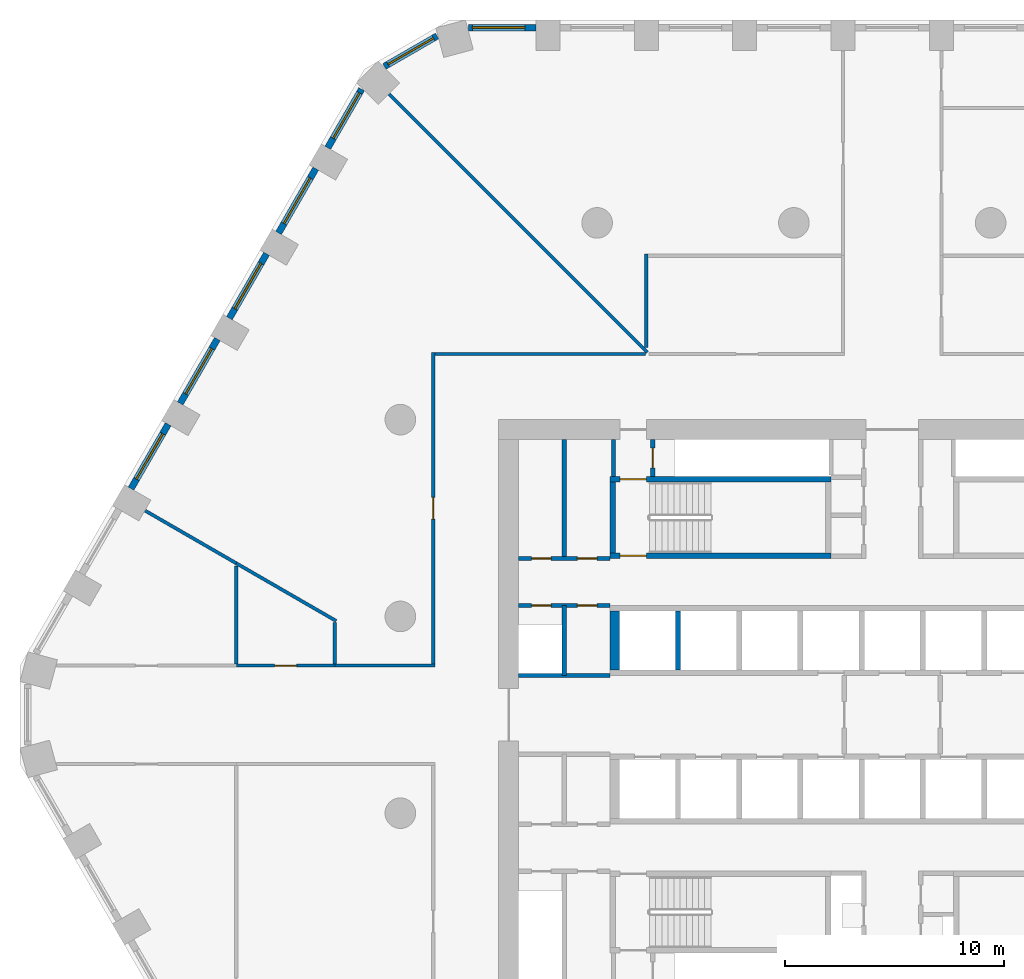
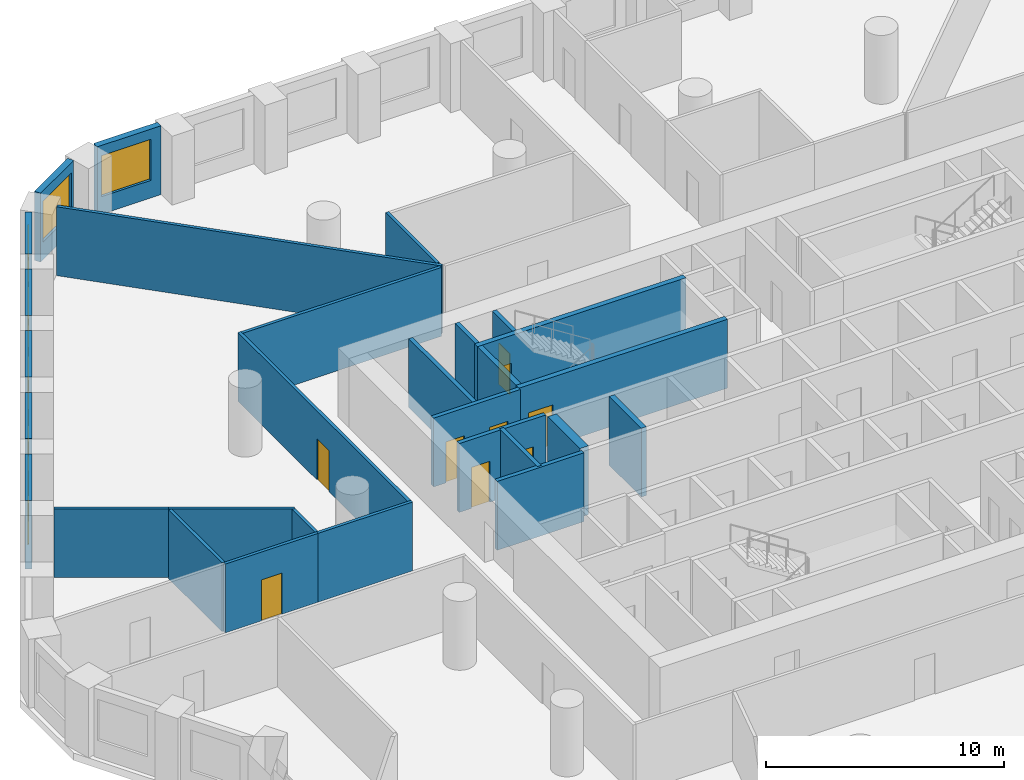
# One storey, part 5 of 10: 29 walls, 9 doors, 7 windows, 16 openings.
"""IFC4 building model written with IfcOpenShell, lengths in metres."""

from ifc_helpers import new_model, si_unit, direction, frame, frame_2d, origin, place, context, subcontext, project, spatial, polyline, rectangle, outline, extrude, material, layer, layer_set, type_object, element, fill, save


model = new_model("IFC4")

# Units and contexts
model_context = context("Model", 3, precision=1e-05, world=origin(), true_north=direction((0.0, 1.0)))
body_context = subcontext(model_context, "Body", "Model", "MODEL_VIEW")
ifc_project = project(units=[si_unit("LENGTHUNIT", "METRE"), si_unit("AREAUNIT", "SQUARE_METRE"), si_unit("VOLUMEUNIT", "CUBIC_METRE"), si_unit("PLANEANGLEUNIT", "RADIAN"), si_unit("MASSUNIT", "GRAM", prefix="KILO")], contexts=[model_context])

# Site, building, storey
site_placement = place(None, origin())
site = spatial("IfcSite", under=ifc_project, at=site_placement, CompositionType="ELEMENT")
building_placement = place(site_placement, origin())
building = spatial("IfcBuilding", under=site, at=building_placement, Name="Dhurran Vertical Campus", CompositionType="ELEMENT")
storey_placement = place(building_placement, frame((0.0, 0.0, 57.300048828125)))
storey = spatial("IfcBuildingStorey", under=building, at=storey_placement, Name="L13", CompositionType="ELEMENT", Elevation=57.300048828125)

# Wall, opening, window
ifc_material_1 = material(Name="Precast concrete C50/60", Category="concrete")
ifc_layer_1 = layer(ifc_material_1, 0.300048828125)
ifc_layer_set_1 = layer_set([ifc_layer_1], Name="Precast concrete C50/60")
wall_type_1 = type_object("IfcWallType", Name="Precast spandrel wall 300", PredefinedType="SOLIDWALL", material=ifc_layer_set_1)
wall_1_placement = place(storey_placement, frame((-16.300537109375, 31.4296875, 0.0), z_axis=(0.0, 0.0, 1.0), x_axis=(-1.0, 0.0, 0.0)))
wall_1 = element("IfcWall", 1, at=wall_1_placement, inside=storey, type_object=wall_type_1, Name="EW1 L13.34", PredefinedType="SOLIDWALL", context=body_context, shape_type="SweptSolid", body=[
    extrude(rectangle(XDim=3.090576171875, YDim=0.300048828125, at=frame_2d((1.54541015625, 0.0))), origin(), (0.0, 0.0, 1.0), 3.52490234375),
])
opening_1_placement = place(wall_1_placement, frame((0.49951171875, 0.0, 0.89990234375)))
opening_1 = element("IfcOpeningElement", 2, at=opening_1_placement, cuts=wall_1, Name="Opening WT1", PredefinedType="OPENING", context=body_context, shape_type="SweptSolid", body=[
    extrude(rectangle(XDim=2.39990234375, YDim=2.10009765625, at=frame_2d((1.199951171875, 1.050048828125))), frame((0.0, 0.159912109375, 0.0), z_axis=(0.0, -1.0, 0.0), x_axis=(1.0, 0.0, 0.0)), (0.0, 0.0, 1.0), 0.320068359375),
])
ifc_material_2 = material(Name="Aluminium frame with solar-control glass", Category="aluminium")
window_type = type_object("IfcWindowType", Name="Punched window 2400 x 2100", PartitioningType="SINGLE_PANEL", PredefinedType="WINDOW", material=ifc_material_2)
window_1_placement = place(opening_1_placement, origin())
window_1 = element("IfcWindow", 3, at=window_1_placement, inside=storey, type_object=window_type, Name="WT1 L13.34", OverallHeight=2.10009765625, OverallWidth=2.39990234375, PartitioningType="SINGLE_PANEL", PredefinedType="WINDOW", context=body_context, shape_type="SweptSolid", body=[
    extrude(rectangle(XDim=2.39990234375, YDim=2.10009765625, at=frame_2d((1.199951171875, 1.050048828125))), frame((0.0, 0.030029296875, 0.0), z_axis=(0.0, -1.0, 0.0), x_axis=(1.0, 0.0, 0.0)), (0.0, 0.0, 1.0), 0.06005859375),
])
fill(opening_1, window_1)

wall_2_placement = place(storey_placement, frame((-20.81884765625, 31.047119140625, 0.0), z_axis=(0.0, 0.0, 1.0), x_axis=(-0.866020456713, -0.500008568482, 0.0)))
wall_2 = element("IfcWall", 4, at=wall_2_placement, inside=storey, type_object=wall_type_1, Name="EW1 L13.35", PredefinedType="SOLIDWALL", context=body_context, shape_type="SweptSolid", body=[
    extrude(rectangle(XDim=2.7822265625, YDim=0.300048828125, at=frame_2d((1.39111328125, 0.0))), origin(), (0.0, 0.0, 1.0), 3.52490234375),
])
opening_2_placement = place(wall_2_placement, frame((0.191162109375, 0.0, 0.89990234375)))
opening_2 = element("IfcOpeningElement", 5, at=opening_2_placement, cuts=wall_2, Name="Opening WT1", PredefinedType="OPENING", context=body_context, shape_type="SweptSolid", body=[
    extrude(rectangle(XDim=2.39990234375, YDim=2.10009765625, at=frame_2d((1.199951171875, 1.050048828125))), frame((0.0, 0.159912109375, 0.0), z_axis=(0.0, -1.0, 0.0), x_axis=(1.0, 0.0, 0.0)), (0.0, 0.0, 1.0), 0.320068359375),
])
window_2_placement = place(opening_2_placement, origin())
window_2 = element("IfcWindow", 6, at=window_2_placement, inside=storey, type_object=window_type, Name="WT1 L13.35", OverallHeight=2.10009765625, OverallWidth=2.39990234375, PartitioningType="SINGLE_PANEL", PredefinedType="WINDOW", context=body_context, shape_type="SweptSolid", body=[
    extrude(rectangle(XDim=2.39990234375, YDim=2.10009765625, at=frame_2d((1.199951171875, 1.050048828125))), frame((0.0, 0.030029296875, 0.0), z_axis=(0.0, -1.0, 0.0), x_axis=(1.0, 0.0, 0.0)), (0.0, 0.0, 1.0), 0.06005859375),
])
fill(opening_2, window_2)

wall_3_placement = place(storey_placement, frame((-24.2734375, 28.611083984375, 0.0), z_axis=(0.0, 0.0, 1.0), x_axis=(-0.499995950774, -0.866027741594, 0.0)))
wall_3 = element("IfcWall", 7, at=wall_3_placement, inside=storey, type_object=wall_type_1, Name="EW1 L13.36", PredefinedType="SOLIDWALL", context=body_context, shape_type="SweptSolid", body=[
    extrude(rectangle(XDim=3.0908203125, YDim=0.300048828125, at=frame_2d((1.54541015625, 0.0))), origin(), (0.0, 0.0, 1.0), 3.52490234375),
])
opening_3_placement = place(wall_3_placement, frame((0.191162109375, 0.0, 0.89990234375)))
opening_3 = element("IfcOpeningElement", 8, at=opening_3_placement, cuts=wall_3, Name="Opening WT1", PredefinedType="OPENING", context=body_context, shape_type="SweptSolid", body=[
    extrude(rectangle(XDim=2.39990234375, YDim=2.10009765625, at=frame_2d((1.199951171875, 1.050048828125))), frame((0.0, 0.159912109375, 0.0), z_axis=(0.0, -1.0, 0.0), x_axis=(1.0, 0.0, 0.0)), (0.0, 0.0, 1.0), 0.320068359375),
])
window_3_placement = place(opening_3_placement, origin())
window_3 = element("IfcWindow", 9, at=window_3_placement, inside=storey, type_object=window_type, Name="WT1 L13.36", OverallHeight=2.10009765625, OverallWidth=2.39990234375, PartitioningType="SINGLE_PANEL", PredefinedType="WINDOW", context=body_context, shape_type="SweptSolid", body=[
    extrude(rectangle(XDim=2.39990234375, YDim=2.10009765625, at=frame_2d((1.199951171875, 1.050048828125))), frame((0.0, 0.030029296875, 0.0), z_axis=(0.0, -1.0, 0.0), x_axis=(1.0, 0.0, 0.0)), (0.0, 0.0, 1.0), 0.06005859375),
])
fill(opening_3, window_3)

wall_4_placement = place(storey_placement, frame((-26.369384765625, 24.98095703125, 0.0), z_axis=(0.0, 0.0, 1.0), x_axis=(-0.499993955907, -0.866028893315, 0.0)))
wall_4 = element("IfcWall", 10, at=wall_4_placement, inside=storey, type_object=wall_type_1, Name="EW1 L13.37", PredefinedType="SOLIDWALL", context=body_context, shape_type="SweptSolid", body=[
    extrude(rectangle(XDim=3.39892578125, YDim=0.300048828125, at=frame_2d((1.699462890625, 0.0))), origin(), (0.0, 0.0, 1.0), 3.52490234375),
])
opening_4_placement = place(wall_4_placement, frame((0.49951171875, 0.0, 0.89990234375)))
opening_4 = element("IfcOpeningElement", 11, at=opening_4_placement, cuts=wall_4, Name="Opening WT1", PredefinedType="OPENING", context=body_context, shape_type="SweptSolid", body=[
    extrude(rectangle(XDim=2.39990234375, YDim=2.10009765625, at=frame_2d((1.199951171875, 1.050048828125))), frame((0.0, 0.159912109375, 0.0), z_axis=(0.0, -1.0, 0.0), x_axis=(1.0, 0.0, 0.0)), (0.0, 0.0, 1.0), 0.320068359375),
])
window_4_placement = place(opening_4_placement, origin())
window_4 = element("IfcWindow", 12, at=window_4_placement, inside=storey, type_object=window_type, Name="WT1 L13.37", OverallHeight=2.10009765625, OverallWidth=2.39990234375, PartitioningType="SINGLE_PANEL", PredefinedType="WINDOW", context=body_context, shape_type="SweptSolid", body=[
    extrude(rectangle(XDim=2.39990234375, YDim=2.10009765625, at=frame_2d((1.199951171875, 1.050048828125))), frame((0.0, 0.030029296875, 0.0), z_axis=(0.0, -1.0, 0.0), x_axis=(1.0, 0.0, 0.0)), (0.0, 0.0, 1.0), 0.06005859375),
])
fill(opening_4, window_4)

wall_5_placement = place(storey_placement, frame((-28.619384765625, 21.083740234375, 0.0), z_axis=(0.0, 0.0, 1.0), x_axis=(-0.499993955907, -0.866028893315, 0.0)))
wall_5 = element("IfcWall", 13, at=wall_5_placement, inside=storey, type_object=wall_type_1, Name="EW1 L13.38", PredefinedType="SOLIDWALL", context=body_context, shape_type="SweptSolid", body=[
    extrude(rectangle(XDim=3.39892578125, YDim=0.300048828125, at=frame_2d((1.699462890625, 0.0))), origin(), (0.0, 0.0, 1.0), 3.52490234375),
])
opening_5_placement = place(wall_5_placement, frame((0.49951171875, 0.0, 0.89990234375)))
opening_5 = element("IfcOpeningElement", 14, at=opening_5_placement, cuts=wall_5, Name="Opening WT1", PredefinedType="OPENING", context=body_context, shape_type="SweptSolid", body=[
    extrude(rectangle(XDim=2.39990234375, YDim=2.10009765625, at=frame_2d((1.199951171875, 1.050048828125))), frame((0.0, 0.159912109375, 0.0), z_axis=(0.0, -1.0, 0.0), x_axis=(1.0, 0.0, 0.0)), (0.0, 0.0, 1.0), 0.320068359375),
])
window_5_placement = place(opening_5_placement, origin())
window_5 = element("IfcWindow", 15, at=window_5_placement, inside=storey, type_object=window_type, Name="WT1 L13.38", OverallHeight=2.10009765625, OverallWidth=2.39990234375, PartitioningType="SINGLE_PANEL", PredefinedType="WINDOW", context=body_context, shape_type="SweptSolid", body=[
    extrude(rectangle(XDim=2.39990234375, YDim=2.10009765625, at=frame_2d((1.199951171875, 1.050048828125))), frame((0.0, 0.030029296875, 0.0), z_axis=(0.0, -1.0, 0.0), x_axis=(1.0, 0.0, 0.0)), (0.0, 0.0, 1.0), 0.06005859375),
])
fill(opening_5, window_5)

wall_6_placement = place(storey_placement, frame((-30.869384765625, 17.186767578125, 0.0), z_axis=(0.0, 0.0, 1.0), x_axis=(-0.499993955907, -0.866028893315, 0.0)))
wall_6 = element("IfcWall", 16, at=wall_6_placement, inside=storey, type_object=wall_type_1, Name="EW1 L13.39", PredefinedType="SOLIDWALL", context=body_context, shape_type="SweptSolid", body=[
    extrude(rectangle(XDim=3.39892578125, YDim=0.300048828125, at=frame_2d((1.699462890625, 0.0))), origin(), (0.0, 0.0, 1.0), 3.52490234375),
])
opening_6_placement = place(wall_6_placement, frame((0.49951171875, 0.0, 0.89990234375)))
opening_6 = element("IfcOpeningElement", 17, at=opening_6_placement, cuts=wall_6, Name="Opening WT1", PredefinedType="OPENING", context=body_context, shape_type="SweptSolid", body=[
    extrude(rectangle(XDim=2.39990234375, YDim=2.10009765625, at=frame_2d((1.199951171875, 1.050048828125))), frame((0.0, 0.159912109375, 0.0), z_axis=(0.0, -1.0, 0.0), x_axis=(1.0, 0.0, 0.0)), (0.0, 0.0, 1.0), 0.320068359375),
])
window_6_placement = place(opening_6_placement, origin())
window_6 = element("IfcWindow", 18, at=window_6_placement, inside=storey, type_object=window_type, Name="WT1 L13.39", OverallHeight=2.10009765625, OverallWidth=2.39990234375, PartitioningType="SINGLE_PANEL", PredefinedType="WINDOW", context=body_context, shape_type="SweptSolid", body=[
    extrude(rectangle(XDim=2.39990234375, YDim=2.10009765625, at=frame_2d((1.199951171875, 1.050048828125))), frame((0.0, 0.030029296875, 0.0), z_axis=(0.0, -1.0, 0.0), x_axis=(1.0, 0.0, 0.0)), (0.0, 0.0, 1.0), 0.06005859375),
])
fill(opening_6, window_6)

wall_7_placement = place(storey_placement, frame((-33.119384765625, 13.28955078125, 0.0), z_axis=(0.0, 0.0, 1.0), x_axis=(-0.499993955907, -0.866028893315, 0.0)))
wall_7 = element("IfcWall", 19, at=wall_7_placement, inside=storey, type_object=wall_type_1, Name="EW1 L13.40", PredefinedType="SOLIDWALL", context=body_context, shape_type="SweptSolid", body=[
    extrude(rectangle(XDim=3.39892578125, YDim=0.300048828125, at=frame_2d((1.699462890625, 0.0))), origin(), (0.0, 0.0, 1.0), 3.52490234375),
])
opening_7_placement = place(wall_7_placement, frame((0.49951171875, 0.0, 0.89990234375)))
opening_7 = element("IfcOpeningElement", 20, at=opening_7_placement, cuts=wall_7, Name="Opening WT1", PredefinedType="OPENING", context=body_context, shape_type="SweptSolid", body=[
    extrude(rectangle(XDim=2.39990234375, YDim=2.10009765625, at=frame_2d((1.199951171875, 1.050048828125))), frame((0.0, 0.159912109375, 0.0), z_axis=(0.0, -1.0, 0.0), x_axis=(1.0, 0.0, 0.0)), (0.0, 0.0, 1.0), 0.320068359375),
])
window_7_placement = place(opening_7_placement, origin())
window_7 = element("IfcWindow", 21, at=window_7_placement, inside=storey, type_object=window_type, Name="WT1 L13.40", OverallHeight=2.10009765625, OverallWidth=2.39990234375, PartitioningType="SINGLE_PANEL", PredefinedType="WINDOW", context=body_context, shape_type="SweptSolid", body=[
    extrude(rectangle(XDim=2.39990234375, YDim=2.10009765625, at=frame_2d((1.199951171875, 1.050048828125))), frame((0.0, 0.030029296875, 0.0), z_axis=(0.0, -1.0, 0.0), x_axis=(1.0, 0.0, 0.0)), (0.0, 0.0, 1.0), 0.06005859375),
])
fill(opening_7, window_7)

# Wall
ifc_material_3 = material(Name="Fire-rated masonry blockwork", Category="masonry")
ifc_layer_2 = layer(ifc_material_3, 0.199951171875)
ifc_layer_set_2 = layer_set([ifc_layer_2], Name="Fire-rated masonry blockwork")
wall_type_2 = type_object("IfcWallType", Name="co-FIRE-PARTITION-200", PredefinedType="PARTITIONING", material=ifc_layer_set_2)
wall_8_placement = place(storey_placement, frame((-12.75, 10.89990234375, 0.0), z_axis=(0.0, 0.0, 1.0), x_axis=(0.0, 1.0, 0.0)))
element("IfcWall", 22, at=wall_8_placement, inside=storey, type_object=wall_type_2, Name="Core partition pass-ST1-o L13", PredefinedType="PARTITIONING", context=body_context, shape_type="SweptSolid", body=[
    extrude(rectangle(XDim=1.7001953125, YDim=0.199951171875, at=frame_2d((0.85009765625, 0.0))), origin(), (0.0, 0.0, 1.0), 3.52490234375),
])

# Wall, opening, door
wall_9_placement = place(storey_placement, frame((-10.949951171875, 10.89990234375, 0.0), z_axis=(0.0, 0.0, 1.0), x_axis=(0.0, 1.0, 0.0)))
wall_9 = element("IfcWall", 23, at=wall_9_placement, inside=storey, type_object=wall_type_2, Name="Core partition pass-ST1-i L13", PredefinedType="PARTITIONING", context=body_context, shape_type="SweptSolid", body=[
    extrude(rectangle(XDim=1.7001953125, YDim=0.199951171875, at=frame_2d((0.85009765625, 0.0))), origin(), (0.0, 0.0, 1.0), 3.52490234375),
])
opening_8_placement = place(wall_9_placement, frame((0.39990234375, 0.0, 0.0)))
opening_8 = element("IfcOpeningElement", 24, at=opening_8_placement, cuts=wall_9, Name="Opening T03-C10", PredefinedType="OPENING", context=body_context, shape_type="SweptSolid", body=[
    extrude(rectangle(XDim=0.89990234375, YDim=2.10009765625, at=frame_2d((0.449951171875, 1.050048828125))), frame((0.0, 0.10986328125, 0.0), z_axis=(0.0, -1.0, 0.0), x_axis=(1.0, 0.0, 0.0)), (0.0, 0.0, 1.0), 0.219970703125),
])
ifc_material_4 = material(Name="Fire-rated timber door set", Category="wood")
door_type_1 = type_object("IfcDoorType", Name="co-D-ROOM 900x2100", OperationType="SINGLE_SWING_LEFT", PredefinedType="DOOR", material=ifc_material_4)
door_1_placement = place(opening_8_placement, origin())
door_1 = element("IfcDoor", 25, at=door_1_placement, inside=storey, type_object=door_type_1, Name="Riser room door L13", OperationType="SINGLE_SWING_LEFT", OverallHeight=2.10009765625, OverallWidth=0.89990234375, PredefinedType="DOOR", context=body_context, shape_type="SweptSolid", body=[
    extrude(rectangle(XDim=0.89990234375, YDim=2.10009765625, at=frame_2d((0.449951171875, 1.050048828125))), frame((0.0, 0.02490234375, 0.0), z_axis=(0.0, -1.0, 0.0), x_axis=(1.0, 0.0, 0.0)), (0.0, 0.0, 1.0), 0.050048828125),
])
fill(opening_8, door_1)

# Wall
wall_10_placement = place(storey_placement, frame((-15.0, 7.14990234375, 0.0), z_axis=(0.0, 0.0, 1.0), x_axis=(0.0, 1.0, 0.0)))
element("IfcWall", 26, at=wall_10_placement, inside=storey, type_object=wall_type_2, Name="Core partition en-NW-cut0 L13", PredefinedType="PARTITIONING", context=body_context, shape_type="SweptSolid", body=[
    extrude(rectangle(XDim=5.4501953125, YDim=0.199951171875, at=frame_2d((2.72509765625, 0.0))), origin(), (0.0, 0.0, 1.0), 3.52490234375),
])

# Wall, openings, doors
wall_11_placement = place(storey_placement, frame((-17.10009765625, 7.14990234375, 0.0), z_axis=(0.0, 0.0, 1.0), x_axis=(1.0, 0.0, 0.0)))
wall_11 = element("IfcWall", 27, at=wall_11_placement, inside=storey, type_object=wall_type_2, Name="Core partition en-NW-w L13", PredefinedType="PARTITIONING", context=body_context, shape_type="SweptSolid", body=[
    extrude(rectangle(XDim=4.2001953125, YDim=0.199951171875, at=frame_2d((2.10009765625, 0.0))), origin(), (0.0, 0.0, 1.0), 3.52490234375),
])
opening_9_placement = place(wall_11_placement, frame((0.60009765625, 0.0, 0.0)))
opening_9 = element("IfcOpeningElement", 28, at=opening_9_placement, cuts=wall_11, Name="Opening T03-C14", PredefinedType="OPENING", context=body_context, shape_type="SweptSolid", body=[
    extrude(rectangle(XDim=0.89990234375, YDim=2.10009765625, at=frame_2d((0.449951171875, 1.050048828125))), frame((0.0, 0.10986328125, 0.0), z_axis=(0.0, -1.0, 0.0), x_axis=(1.0, 0.0, 0.0)), (0.0, 0.0, 1.0), 0.219970703125),
])
opening_10_placement = place(wall_11_placement, frame((2.699951171875, 0.0, 0.0)))
opening_10 = element("IfcOpeningElement", 29, at=opening_10_placement, cuts=wall_11, Name="Opening T03-C15", PredefinedType="OPENING", context=body_context, shape_type="SweptSolid", body=[
    extrude(rectangle(XDim=0.89990234375, YDim=2.10009765625, at=frame_2d((0.449951171875, 1.050048828125))), frame((0.0, 0.10986328125, 0.0), z_axis=(0.0, -1.0, 0.0), x_axis=(1.0, 0.0, 0.0)), (0.0, 0.0, 1.0), 0.219970703125),
])
door_2_placement = place(opening_9_placement, origin())
door_2 = element("IfcDoor", 30, at=door_2_placement, inside=storey, type_object=door_type_1, Name="Store door L13", OperationType="SINGLE_SWING_LEFT", OverallHeight=2.10009765625, OverallWidth=0.89990234375, PredefinedType="DOOR", context=body_context, shape_type="SweptSolid", body=[
    extrude(rectangle(XDim=0.89990234375, YDim=2.10009765625, at=frame_2d((0.449951171875, 1.050048828125))), frame((0.0, 0.02490234375, 0.0), z_axis=(0.0, -1.0, 0.0), x_axis=(1.0, 0.0, 0.0)), (0.0, 0.0, 1.0), 0.050048828125),
])
fill(opening_9, door_2)
door_3_placement = place(opening_10_placement, origin())
door_3 = element("IfcDoor", 31, at=door_3_placement, inside=storey, type_object=door_type_1, Name="Print room door L13", OperationType="SINGLE_SWING_LEFT", OverallHeight=2.10009765625, OverallWidth=0.89990234375, PredefinedType="DOOR", context=body_context, shape_type="SweptSolid", body=[
    extrude(rectangle(XDim=0.89990234375, YDim=2.10009765625, at=frame_2d((0.449951171875, 1.050048828125))), frame((0.0, 0.02490234375, 0.0), z_axis=(0.0, -1.0, 0.0), x_axis=(1.0, 0.0, 0.0)), (0.0, 0.0, 1.0), 0.050048828125),
])
fill(opening_10, door_3)

# Wall
wall_12_placement = place(storey_placement, frame((-15.0, 1.800048828125, 0.0), z_axis=(0.0, 0.0, 1.0), x_axis=(0.0, 1.0, 0.0)))
element("IfcWall", 32, at=wall_12_placement, inside=storey, type_object=wall_type_2, Name="Core partition es-NW-cut0 L13", PredefinedType="PARTITIONING", context=body_context, shape_type="SweptSolid", body=[
    extrude(rectangle(XDim=3.199951171875, YDim=0.199951171875, at=frame_2d((1.60009765625, 0.0))), origin(), (0.0, 0.0, 1.0), 3.52490234375),
])

# Wall, openings, doors
wall_13_placement = place(storey_placement, frame((-17.10009765625, 5.0, 0.0), z_axis=(0.0, 0.0, 1.0), x_axis=(1.0, 0.0, 0.0)))
wall_13 = element("IfcWall", 33, at=wall_13_placement, inside=storey, type_object=wall_type_2, Name="Core partition es-NW-w L13", PredefinedType="PARTITIONING", context=body_context, shape_type="SweptSolid", body=[
    extrude(rectangle(XDim=4.2001953125, YDim=0.199951171875, at=frame_2d((2.10009765625, 0.0))), origin(), (0.0, 0.0, 1.0), 3.52490234375),
])
opening_11_placement = place(wall_13_placement, frame((0.60009765625, 0.0, 0.0)))
opening_11 = element("IfcOpeningElement", 34, at=opening_11_placement, cuts=wall_13, Name="Opening T03-C16", PredefinedType="OPENING", context=body_context, shape_type="SweptSolid", body=[
    extrude(rectangle(XDim=0.89990234375, YDim=2.10009765625, at=frame_2d((0.449951171875, 1.050048828125))), frame((0.0, 0.10986328125, 0.0), z_axis=(0.0, -1.0, 0.0), x_axis=(1.0, 0.0, 0.0)), (0.0, 0.0, 1.0), 0.219970703125),
])
opening_12_placement = place(wall_13_placement, frame((2.699951171875, 0.0, 0.0)))
opening_12 = element("IfcOpeningElement", 35, at=opening_12_placement, cuts=wall_13, Name="Opening T03-C17", PredefinedType="OPENING", context=body_context, shape_type="SweptSolid", body=[
    extrude(rectangle(XDim=0.89990234375, YDim=2.10009765625, at=frame_2d((0.449951171875, 1.050048828125))), frame((0.0, 0.10986328125, 0.0), z_axis=(0.0, -1.0, 0.0), x_axis=(1.0, 0.0, 0.0)), (0.0, 0.0, 1.0), 0.219970703125),
])
door_4_placement = place(opening_11_placement, origin())
door_4 = element("IfcDoor", 36, at=door_4_placement, inside=storey, type_object=door_type_1, Name="Electrical riser door L13", OperationType="SINGLE_SWING_LEFT", OverallHeight=2.10009765625, OverallWidth=0.89990234375, PredefinedType="DOOR", context=body_context, shape_type="SweptSolid", body=[
    extrude(rectangle(XDim=0.89990234375, YDim=2.10009765625, at=frame_2d((0.449951171875, 1.050048828125))), frame((0.0, 0.02490234375, 0.0), z_axis=(0.0, -1.0, 0.0), x_axis=(1.0, 0.0, 0.0)), (0.0, 0.0, 1.0), 0.050048828125),
])
fill(opening_11, door_4)
door_5_placement = place(opening_12_placement, origin())
door_5 = element("IfcDoor", 37, at=door_5_placement, inside=storey, type_object=door_type_1, Name="Server room door L13", OperationType="SINGLE_SWING_LEFT", OverallHeight=2.10009765625, OverallWidth=0.89990234375, PredefinedType="DOOR", context=body_context, shape_type="SweptSolid", body=[
    extrude(rectangle(XDim=0.89990234375, YDim=2.10009765625, at=frame_2d((0.449951171875, 1.050048828125))), frame((0.0, 0.02490234375, 0.0), z_axis=(0.0, -1.0, 0.0), x_axis=(1.0, 0.0, 0.0)), (0.0, 0.0, 1.0), 0.050048828125),
])
fill(opening_12, door_5)

# Walls
wall_14_placement = place(storey_placement, frame((-17.10009765625, 1.800048828125, 0.0), z_axis=(0.0, 0.0, 1.0), x_axis=(1.0, 0.0, 0.0)))
element("IfcWall", 38, at=wall_14_placement, inside=storey, type_object=wall_type_2, Name="Core partition es-NW-l L13", PredefinedType="PARTITIONING", context=body_context, shape_type="SweptSolid", body=[
    extrude(rectangle(XDim=4.2001953125, YDim=0.199951171875, at=frame_2d((2.10009765625, 0.0))), origin(), (0.0, 0.0, 1.0), 3.52490234375),
])
ifc_material_5 = material(Name="Concrete C50/60", Category="concrete")
ifc_layer_3 = layer(ifc_material_5, 0.25)
ifc_layer_set_3 = layer_set([ifc_layer_3], Name="Concrete C50/60")
wall_type_3 = type_object("IfcWallType", Name="co-SHAFT-MASS-250", PredefinedType="SHEAR", material=ifc_layer_set_3)
wall_15_placement = place(storey_placement, origin())
element("IfcWall", 39, at=wall_15_placement, inside=storey, type_object=wall_type_3, Name="Lift shaft wall N L13 2", PredefinedType="SHEAR", context=body_context, shape_type="SweptSolid", body=[
    extrude(outline(polyline([(-12.89990234375, 2.050048828125), (-12.47509765625, 2.050048828125), (-12.47509765625, 4.75), (-12.89990234375, 4.75), (-12.89990234375, 2.050048828125)])), origin(), (0.0, 0.0, 1.0), 3.52490234375),
])
wall_16_placement = place(storey_placement, origin())
element("IfcWall", 40, at=wall_16_placement, inside=storey, type_object=wall_type_3, Name="Lift shaft wall N L13 3", PredefinedType="SHEAR", context=body_context, shape_type="SweptSolid", body=[
    extrude(outline(polyline([(-9.925048828125, 2.050048828125), (-9.675048828125, 2.050048828125), (-9.675048828125, 4.75), (-9.925048828125, 4.75), (-9.925048828125, 2.050048828125)])), origin(), (0.0, 0.0, 1.0), 3.52490234375),
])

# Wall, opening, door
ifc_material_6 = material(Name="Concrete C40/50", Category="concrete")
ifc_layer_4 = layer(ifc_material_6, 0.25)
ifc_layer_set_4 = layer_set([ifc_layer_4], Name="Concrete C40/50")
wall_type_4 = type_object("IfcWallType", Name="co-STAIR-WALL-250", PredefinedType="SHEAR", material=ifc_layer_set_4)
wall_17_placement = place(storey_placement, frame((-12.89990234375, 7.27490234375, 0.0), z_axis=(0.0, 0.0, 1.0), x_axis=(1.0, 0.0, 0.0)))
wall_17 = element("IfcWall", 41, at=wall_17_placement, inside=storey, type_object=wall_type_4, Name="Stair ST1 enclosure wall L13", PredefinedType="SHEAR", context=body_context, shape_type="SweptSolid", body=[
    extrude(rectangle(XDim=10.099853515625, YDim=0.25, at=frame_2d((5.0498046875, 0.0))), origin(), (0.0, 0.0, 1.0), 3.52490234375),
])
opening_13_placement = place(wall_17_placement, frame((0.449951171875, 0.0, 0.0)))
opening_13 = element("IfcOpeningElement", 42, at=opening_13_placement, cuts=wall_17, Name="Opening SD1", PredefinedType="OPENING", context=body_context, shape_type="SweptSolid", body=[
    extrude(rectangle(XDim=1.199951171875, YDim=2.10009765625, at=frame_2d((0.60009765625, 1.050048828125))), frame((0.0, 0.135009765625, 0.0), z_axis=(0.0, -1.0, 0.0), x_axis=(1.0, 0.0, 0.0)), (0.0, 0.0, 1.0), 0.27001953125),
])
ifc_material_7 = material(Name="Fire-rated steel door set", Category="steel")
door_type_2 = type_object("IfcDoorType", Name="co-D-STAIR 1200x2100", OperationType="SINGLE_SWING_LEFT", PredefinedType="DOOR", material=ifc_material_7)
door_6_placement = place(opening_13_placement, origin())
door_6 = element("IfcDoor", 43, at=door_6_placement, inside=storey, type_object=door_type_2, Name="Stair ST1 door L13", OperationType="SINGLE_SWING_LEFT", OverallHeight=2.10009765625, OverallWidth=1.199951171875, PredefinedType="DOOR", context=body_context, shape_type="SweptSolid", body=[
    extrude(rectangle(XDim=1.199951171875, YDim=2.10009765625, at=frame_2d((0.60009765625, 1.050048828125))), frame((0.0, 0.02490234375, 0.0), z_axis=(0.0, -1.0, 0.0), x_axis=(1.0, 0.0, 0.0)), (0.0, 0.0, 1.0), 0.050048828125),
])
fill(opening_13, door_6)

wall_18_placement = place(storey_placement, frame((-12.89990234375, 10.77490234375, 0.0), z_axis=(0.0, 0.0, 1.0), x_axis=(1.0, 0.0, 0.0)))
wall_18 = element("IfcWall", 44, at=wall_18_placement, inside=storey, type_object=wall_type_4, Name="Stair ST1 enclosure wall L13", PredefinedType="SHEAR", context=body_context, shape_type="SweptSolid", body=[
    extrude(rectangle(XDim=10.099853515625, YDim=0.25, at=frame_2d((5.0498046875, 0.0))), origin(), (0.0, 0.0, 1.0), 3.52490234375),
])
opening_14_placement = place(wall_18_placement, frame((0.449951171875, 0.0, 0.0)))
opening_14 = element("IfcOpeningElement", 45, at=opening_14_placement, cuts=wall_18, Name="Opening XS1", PredefinedType="OPENING", context=body_context, shape_type="SweptSolid", body=[
    extrude(rectangle(XDim=1.199951171875, YDim=2.10009765625, at=frame_2d((0.60009765625, 1.050048828125))), frame((0.0, 0.135009765625, 0.0), z_axis=(0.0, -1.0, 0.0), x_axis=(1.0, 0.0, 0.0)), (0.0, 0.0, 1.0), 0.27001953125),
])
ifc_material_8 = material(Name="Fire-rated steel door set", Category="steel")
door_type_3 = type_object("IfcDoorType", Name="co-D-STAIR-EXIT 1200x2100", OperationType="SINGLE_SWING_RIGHT", PredefinedType="DOOR", material=ifc_material_8)
door_7_placement = place(opening_14_placement, origin())
door_7 = element("IfcDoor", 46, at=door_7_placement, inside=storey, type_object=door_type_3, Name="Stair ST1 discharge door L13", OperationType="SINGLE_SWING_RIGHT", OverallHeight=2.10009765625, OverallWidth=1.199951171875, PredefinedType="DOOR", context=body_context, shape_type="SweptSolid", body=[
    extrude(rectangle(XDim=1.199951171875, YDim=2.10009765625, at=frame_2d((0.60009765625, 1.050048828125))), frame((0.0, 0.02490234375, 0.0), z_axis=(0.0, -1.0, 0.0), x_axis=(1.0, 0.0, 0.0)), (0.0, 0.0, 1.0), 0.050048828125),
])
fill(opening_14, door_7)

# Wall
wall_19_placement = place(storey_placement, frame((-12.77490234375, 7.39990234375, 0.0), z_axis=(0.0, 0.0, 1.0), x_axis=(0.0, 1.0, 0.0)))
element("IfcWall", 47, at=wall_19_placement, inside=storey, type_object=wall_type_4, Name="Stair ST1 enclosure wall L13", PredefinedType="SHEAR", context=body_context, shape_type="SweptSolid", body=[
    extrude(rectangle(XDim=3.25, YDim=0.25, at=frame_2d((1.625, 0.0))), origin(), (0.0, 0.0, 1.0), 3.52490234375),
])

# Wall, opening, door
ifc_material_9 = material(Name="Gypsum board corridor wall on steel studs", Category="steel")
ifc_layer_5 = layer(ifc_material_9, 0.14990234375)
ifc_layer_set_5 = layer_set([ifc_layer_5], Name="Gypsum board corridor wall on steel studs")
wall_type_5 = type_object("IfcWallType", Name="fl-CW-150 corridor wall", PredefinedType="PARTITIONING", material=ifc_layer_set_5)
wall_20_placement = place(storey_placement, frame((-30.0, 2.25, 0.0), z_axis=(0.0, 0.0, 1.0), x_axis=(1.0, 0.0, 0.0)))
wall_20 = element("IfcWall", 48, at=wall_20_placement, inside=storey, type_object=wall_type_5, Name="Partition 13-08", PredefinedType="PARTITIONING", context=body_context, shape_type="SweptSolid", body=[
    extrude(rectangle(XDim=4.5, YDim=0.14990234375, at=frame_2d((2.25, 0.0))), origin(), (0.0, 0.0, 1.0), 3.52490234375),
])
opening_15_placement = place(wall_20_placement, frame((1.75, 0.0, 0.0)))
opening_15 = element("IfcOpeningElement", 49, at=opening_15_placement, cuts=wall_20, Name="Opening T03.03", PredefinedType="OPENING", context=body_context, shape_type="SweptSolid", body=[
    extrude(rectangle(XDim=1.0, YDim=2.10009765625, at=frame_2d((0.5, 1.050048828125))), frame((0.0, 0.0849609375, 0.0), z_axis=(0.0, -1.0, 0.0), x_axis=(1.0, 0.0, 0.0)), (0.0, 0.0, 1.0), 0.169921875),
])
ifc_material_10 = material(Name="Solid-core timber door set, fire-rated", Category="wood")
door_type_4 = type_object("IfcDoorType", Name="fl-D-1000x2100", OperationType="SINGLE_SWING_LEFT", PredefinedType="DOOR", material=ifc_material_10)
door_8_placement = place(opening_15_placement, origin())
door_8 = element("IfcDoor", 50, at=door_8_placement, inside=storey, type_object=door_type_4, Name="Door 13.03", OperationType="SINGLE_SWING_RIGHT", OverallHeight=2.10009765625, OverallWidth=1.0, PredefinedType="DOOR", context=body_context, shape_type="SweptSolid", body=[
    extrude(rectangle(XDim=1.0, YDim=2.10009765625, at=frame_2d((0.5, 1.050048828125))), frame((0.0, 0.02490234375, 0.0), z_axis=(0.0, -1.0, 0.0), x_axis=(1.0, 0.0, 0.0)), (0.0, 0.0, 1.0), 0.050048828125),
])
fill(opening_15, door_8)

# Wall
wall_21_placement = place(storey_placement, frame((-25.5, 2.25, 0.0), z_axis=(0.0, 0.0, 1.0), x_axis=(1.0, 0.0, 0.0)))
element("IfcWall", 51, at=wall_21_placement, inside=storey, type_object=wall_type_5, Name="Partition 13-11", PredefinedType="PARTITIONING", context=body_context, shape_type="SweptSolid", body=[
    extrude(rectangle(XDim=4.574951171875, YDim=0.14990234375, at=frame_2d((2.28759765625, 0.0))), origin(), (0.0, 0.0, 1.0), 3.52490234375),
])

# Wall, opening, door
wall_22_placement = place(storey_placement, frame((-21.0, 16.574951171875, 0.0), z_axis=(0.0, 0.0, 1.0), x_axis=(0.0, -1.0, 0.0)))
wall_22 = element("IfcWall", 52, at=wall_22_placement, inside=storey, type_object=wall_type_5, Name="Partition 13-15", PredefinedType="PARTITIONING", context=body_context, shape_type="SweptSolid", body=[
    extrude(rectangle(XDim=14.25, YDim=0.14990234375, at=frame_2d((7.125, 0.0))), origin(), (0.0, 0.0, 1.0), 3.52490234375),
])
opening_16_placement = place(wall_22_placement, frame((6.625, 0.0, 0.0)))
opening_16 = element("IfcOpeningElement", 53, at=opening_16_placement, cuts=wall_22, Name="Opening T03.04", PredefinedType="OPENING", context=body_context, shape_type="SweptSolid", body=[
    extrude(rectangle(XDim=1.0, YDim=2.10009765625, at=frame_2d((0.5, 1.050048828125))), frame((0.0, 0.0849609375, 0.0), z_axis=(0.0, -1.0, 0.0), x_axis=(1.0, 0.0, 0.0)), (0.0, 0.0, 1.0), 0.169921875),
])
door_9_placement = place(opening_16_placement, origin())
door_9 = element("IfcDoor", 54, at=door_9_placement, inside=storey, type_object=door_type_4, Name="Door 13.04", OperationType="SINGLE_SWING_LEFT", OverallHeight=2.10009765625, OverallWidth=1.0, PredefinedType="DOOR", context=body_context, shape_type="SweptSolid", body=[
    extrude(rectangle(XDim=1.0, YDim=2.10009765625, at=frame_2d((0.5, 1.050048828125))), frame((0.0, 0.02490234375, 0.0), z_axis=(0.0, -1.0, 0.0), x_axis=(1.0, 0.0, 0.0)), (0.0, 0.0, 1.0), 0.050048828125),
])
fill(opening_16, door_9)

# Walls
wall_23_placement = place(storey_placement, frame((-11.294921875, 16.5, 0.0), z_axis=(0.0, 0.0, 1.0), x_axis=(-1.0, 0.0, 0.0)))
element("IfcWall", 55, at=wall_23_placement, inside=storey, type_object=wall_type_5, Name="Partition 13-16", PredefinedType="PARTITIONING", context=body_context, shape_type="SweptSolid", body=[
    extrude(rectangle(XDim=9.630126953125, YDim=0.14990234375, at=frame_2d((4.81494140625, 0.0))), origin(), (0.0, 0.0, 1.0), 3.52490234375),
])
ifc_material_11 = material(Name="Gypsum board partition on steel studs", Category="steel")
ifc_layer_6 = layer(ifc_material_11, 0.14990234375)
ifc_layer_set_6 = layer_set([ifc_layer_6], Name="Gypsum board partition on steel studs")
wall_type_6 = type_object("IfcWallType", Name="fl-PW-150 fixed partition", PredefinedType="PARTITIONING", material=ifc_layer_set_6)
wall_24_placement = place(storey_placement, frame((-34.16748046875, 9.334228515625, 0.0), z_axis=(0.0, 0.0, 1.0), x_axis=(0.866011543723, -0.500024005562, 0.0)))
element("IfcWall", 56, at=wall_24_placement, inside=storey, type_object=wall_type_6, Name="Partition 13-03", PredefinedType="PARTITIONING", context=body_context, shape_type="SweptSolid", body=[
    extrude(rectangle(XDim=4.812255859375, YDim=0.14990234375, at=frame_2d((2.40625, 0.0))), origin(), (0.0, 0.0, 1.0), 3.52490234375),
])
wall_25_placement = place(storey_placement, frame((-30.0, 6.798095703125, 0.0), z_axis=(0.0, 0.0, 1.0), x_axis=(0.0, -1.0, 0.0)))
element("IfcWall", 57, at=wall_25_placement, inside=storey, type_object=wall_type_6, Name="Partition 13-07", PredefinedType="PARTITIONING", context=body_context, shape_type="SweptSolid", body=[
    extrude(rectangle(XDim=4.47314453125, YDim=0.14990234375, at=frame_2d((2.236572265625, 0.0))), origin(), (0.0, 0.0, 1.0), 3.52490234375),
])
wall_26_placement = place(storey_placement, frame((-30.0, 6.927978515625, 0.0), z_axis=(0.0, 0.0, 1.0), x_axis=(0.866031326857, -0.499989740797, 0.0)))
element("IfcWall", 58, at=wall_26_placement, inside=storey, type_object=wall_type_6, Name="Partition 13-09", PredefinedType="PARTITIONING", context=body_context, shape_type="SweptSolid", body=[
    extrude(rectangle(XDim=5.27099609375, YDim=0.14990234375, at=frame_2d((2.635498046875, 0.0))), origin(), (0.0, 0.0, 1.0), 3.52490234375),
])
wall_27_placement = place(storey_placement, frame((-25.5, 4.22998046875, 0.0), z_axis=(0.0, 0.0, 1.0), x_axis=(0.0, -1.0, 0.0)))
element("IfcWall", 59, at=wall_27_placement, inside=storey, type_object=wall_type_6, Name="Partition 13-10", PredefinedType="PARTITIONING", context=body_context, shape_type="SweptSolid", body=[
    extrude(rectangle(XDim=1.905029296875, YDim=0.14990234375, at=frame_2d((0.95263671875, 0.0))), origin(), (0.0, 0.0, 1.0), 3.52490234375),
])
wall_28_placement = place(storey_placement, frame((-23.01025390625, 28.393310546875, 0.0), z_axis=(0.0, 0.0, 1.0), x_axis=(0.707106781187, -0.707106781187, 0.0)))
element("IfcWall", 60, at=wall_28_placement, inside=storey, type_object=wall_type_6, Name="Partition 13-12", PredefinedType="PARTITIONING", context=body_context, shape_type="SweptSolid", body=[
    extrude(rectangle(XDim=16.70654296875, YDim=0.14990234375, at=frame_2d((8.353271484375, 0.0))), origin(), (0.0, 0.0, 1.0), 3.52490234375),
])
wall_29_placement = place(storey_placement, frame((-11.25, 21.074951171875, 0.0), z_axis=(0.0, 0.0, 1.0), x_axis=(0.0, -1.0, 0.0)))
element("IfcWall", 61, at=wall_29_placement, inside=storey, type_object=wall_type_6, Name="Partition 13-19", PredefinedType="PARTITIONING", context=body_context, shape_type="SweptSolid", body=[
    extrude(rectangle(XDim=4.266845703125, YDim=0.14990234375, at=frame_2d((2.13330078125, 0.0))), origin(), (0.0, 0.0, 1.0), 3.52490234375),
])

save(model, "model.ifc")
